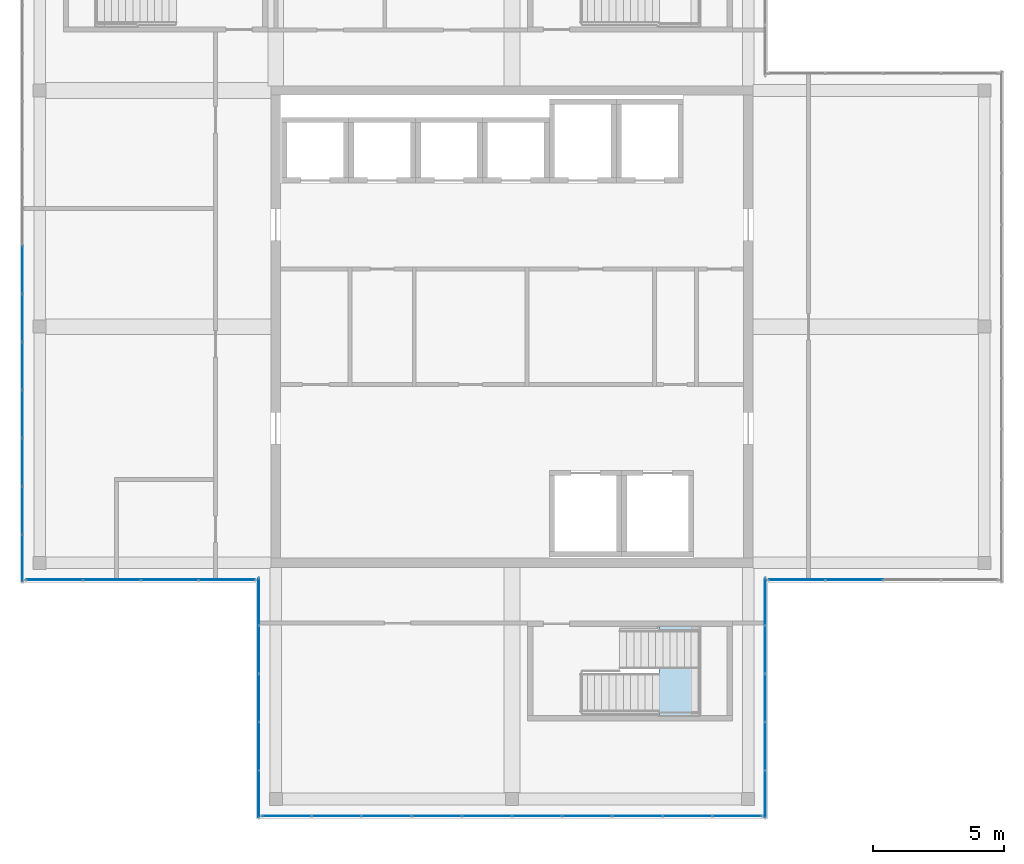
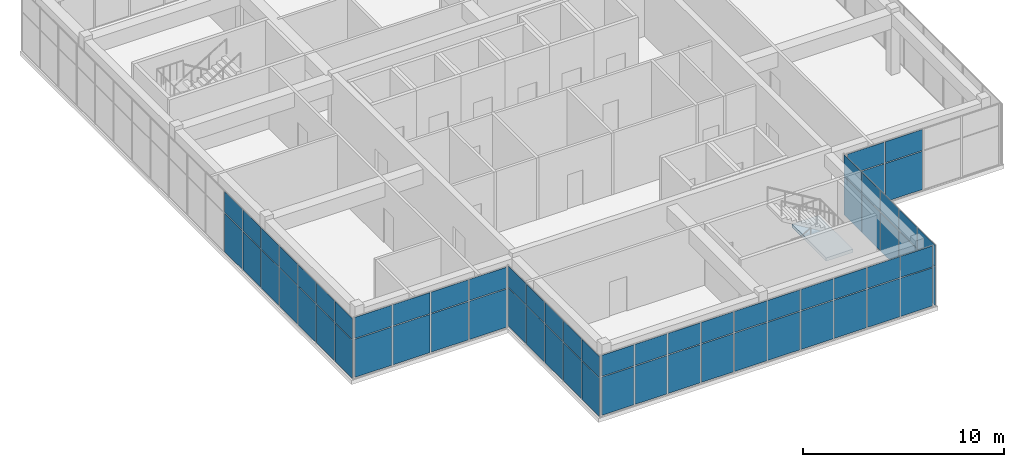
# One storey, part 28 of 34: 66 plates, 1 slab, 7 elements without a shape of their own.
"""IFC4 building model written with IfcOpenShell, lengths in metres."""

from ifc_helpers import new_model, si_unit, direction, frame, origin, origin_2d, place, context, subcontext, project, spatial, polyline, rectangle, outline, extrude, material, layer, layer_set, type_object, element, aggregate, save


model = new_model("IFC4")

# Units and contexts
model_context = context("Model", 3, precision=1e-05, world=origin(), true_north=direction((0.0, 1.0)))
body_context = subcontext(model_context, "Body", "Model", "MODEL_VIEW")
ifc_project = project(units=[si_unit("LENGTHUNIT", "METRE"), si_unit("AREAUNIT", "SQUARE_METRE"), si_unit("VOLUMEUNIT", "CUBIC_METRE"), si_unit("PLANEANGLEUNIT", "RADIAN"), si_unit("MASSUNIT", "GRAM", prefix="KILO")], contexts=[model_context])

# Site, building, storey
site_placement = place(None, origin())
site = spatial("IfcSite", under=ifc_project, at=site_placement, CompositionType="ELEMENT")
building_placement = place(site_placement, origin())
building = spatial("IfcBuilding", under=site, at=building_placement, Name="Tuart Plaza Theatre", CompositionType="ELEMENT")
storey_placement = place(building_placement, frame((0.0, 0.0, 57.5)))
storey = spatial("IfcBuildingStorey", under=building, at=storey_placement, Name="L14", CompositionType="ELEMENT", Elevation=57.5)

# Curtain wall, plates
ifc_material_1 = material(Name="Aluminium and glass", Category="aluminium")
ifc_layer_1 = layer(ifc_material_1, 0.10009765625)
ifc_layer_set_1 = layer_set([ifc_layer_1], Name="CURTAIN WALL 2000 module")
curtain_wall_type_1 = type_object("IfcCurtainWallType", Name="CURTAIN WALL 2000 module", PredefinedType="NOTDEFINED", material=ifc_layer_set_1)
curtain_wall_1_placement = place(storey_placement, origin())
curtain_wall_1 = element("IfcCurtainWall", 1, at=curtain_wall_1_placement, inside=storey, type_object=curtain_wall_type_1, Name="CW112", PredefinedType="NOTDEFINED")
ifc_material_2 = material(Name="Glass", Category="glass")
ifc_layer_2 = layer(ifc_material_2, 0.028076171875)
ifc_layer_set_2 = layer_set([ifc_layer_2], Name="CURTAIN PANEL double glazed 28")
plate_type_1 = type_object("IfcPlateType", Name="CURTAIN PANEL double glazed 28", PredefinedType="CURTAIN_PANEL", material=ifc_layer_set_2)
plate_1_placement = place(storey_placement, frame((141.64990234375, 56.1826171875, 0.0498046875), z_axis=(0.0, 0.0, 1.0), x_axis=(0.0, 1.0, 0.0)))
plate_1 = element("IfcPlate", 2, at=plate_1_placement, type_object=plate_type_1, Name="CW112 panel 1.1", PredefinedType="CURTAIN_PANEL", context=body_context, shape_type="SweptSolid", body=[
    extrude(rectangle(XDim=1.764892578125, YDim=0.028076171875, at=origin_2d()), origin(), (0.0, 0.0, 1.0), 2.324951171875),
])
plate_2_placement = place(storey_placement, frame((141.64990234375, 56.1826171875, 2.425048828125), z_axis=(0.0, 0.0, 1.0), x_axis=(0.0, 1.0, 0.0)))
plate_2 = element("IfcPlate", 3, at=plate_2_placement, type_object=plate_type_1, Name="CW112 panel 1.2", PredefinedType="CURTAIN_PANEL", context=body_context, shape_type="SweptSolid", body=[
    extrude(rectangle(XDim=1.764892578125, YDim=0.028076171875, at=origin_2d()), origin(), (0.0, 0.0, 1.0), 1.27490234375),
])
plate_3_placement = place(storey_placement, frame((141.64990234375, 59.85009765625, 0.0498046875), z_axis=(0.0, 0.0, 1.0), x_axis=(0.0, 1.0, 0.0)))
plate_3 = element("IfcPlate", 4, at=plate_3_placement, type_object=plate_type_1, Name="CW112 panel 3.1", PredefinedType="CURTAIN_PANEL", context=body_context, shape_type="SweptSolid", body=[
    extrude(rectangle(XDim=1.7900390625, YDim=0.028076171875, at=origin_2d()), origin(), (0.0, 0.0, 1.0), 2.324951171875),
])
plate_4_placement = place(storey_placement, frame((141.64990234375, 59.85009765625, 2.425048828125), z_axis=(0.0, 0.0, 1.0), x_axis=(0.0, 1.0, 0.0)))
plate_4 = element("IfcPlate", 5, at=plate_4_placement, type_object=plate_type_1, Name="CW112 panel 3.2", PredefinedType="CURTAIN_PANEL", context=body_context, shape_type="SweptSolid", body=[
    extrude(rectangle(XDim=1.7900390625, YDim=0.028076171875, at=origin_2d()), origin(), (0.0, 0.0, 1.0), 1.27490234375),
])
plate_5_placement = place(storey_placement, frame((141.64990234375, 61.68994140625, 0.0498046875), z_axis=(0.0, 0.0, 1.0), x_axis=(0.0, 1.0, 0.0)))
plate_5 = element("IfcPlate", 6, at=plate_5_placement, type_object=plate_type_1, Name="CW112 panel 4.1", PredefinedType="CURTAIN_PANEL", context=body_context, shape_type="SweptSolid", body=[
    extrude(rectangle(XDim=1.7900390625, YDim=0.028076171875, at=origin_2d()), origin(), (0.0, 0.0, 1.0), 2.324951171875),
])
plate_6_placement = place(storey_placement, frame((141.64990234375, 61.68994140625, 2.425048828125), z_axis=(0.0, 0.0, 1.0), x_axis=(0.0, 1.0, 0.0)))
plate_6 = element("IfcPlate", 7, at=plate_6_placement, type_object=plate_type_1, Name="CW112 panel 4.2", PredefinedType="CURTAIN_PANEL", context=body_context, shape_type="SweptSolid", body=[
    extrude(rectangle(XDim=1.7900390625, YDim=0.028076171875, at=origin_2d()), origin(), (0.0, 0.0, 1.0), 1.27490234375),
])
plate_7_placement = place(storey_placement, frame((141.64990234375, 63.517578125, 0.0498046875), z_axis=(0.0, 0.0, 1.0), x_axis=(0.0, 1.0, 0.0)))
plate_7 = element("IfcPlate", 8, at=plate_7_placement, type_object=plate_type_1, Name="CW112 panel 5.1", PredefinedType="CURTAIN_PANEL", context=body_context, shape_type="SweptSolid", body=[
    extrude(rectangle(XDim=1.764892578125, YDim=0.028076171875, at=origin_2d()), origin(), (0.0, 0.0, 1.0), 2.324951171875),
])
plate_8_placement = place(storey_placement, frame((141.64990234375, 63.517578125, 2.425048828125), z_axis=(0.0, 0.0, 1.0), x_axis=(0.0, 1.0, 0.0)))
plate_8 = element("IfcPlate", 9, at=plate_8_placement, type_object=plate_type_1, Name="CW112 panel 5.2", PredefinedType="CURTAIN_PANEL", context=body_context, shape_type="SweptSolid", body=[
    extrude(rectangle(XDim=1.764892578125, YDim=0.028076171875, at=origin_2d()), origin(), (0.0, 0.0, 1.0), 1.27490234375),
])

curtain_wall_2_placement = place(storey_placement, origin())
curtain_wall_2 = element("IfcCurtainWall", 10, at=curtain_wall_2_placement, inside=storey, type_object=curtain_wall_type_1, Name="CW113", PredefinedType="NOTDEFINED")
plate_9_placement = place(storey_placement, frame((142.862548828125, 64.35009765625, 0.0498046875), z_axis=(0.0, 0.0, 1.0), x_axis=(1.0, 0.0, 0.0)))
plate_9 = element("IfcPlate", 11, at=plate_9_placement, type_object=plate_type_1, Name="CW113 panel 1.1", PredefinedType="CURTAIN_PANEL", context=body_context, shape_type="SweptSolid", body=[
    extrude(rectangle(XDim=2.125, YDim=0.028076171875, at=origin_2d()), origin(), (0.0, 0.0, 1.0), 2.324951171875),
])
plate_10_placement = place(storey_placement, frame((142.862548828125, 64.35009765625, 2.425048828125), z_axis=(0.0, 0.0, 1.0), x_axis=(1.0, 0.0, 0.0)))
plate_10 = element("IfcPlate", 12, at=plate_10_placement, type_object=plate_type_1, Name="CW113 panel 1.2", PredefinedType="CURTAIN_PANEL", context=body_context, shape_type="SweptSolid", body=[
    extrude(rectangle(XDim=2.125, YDim=0.028076171875, at=origin_2d()), origin(), (0.0, 0.0, 1.0), 1.27490234375),
])
plate_11_placement = place(storey_placement, frame((145.050048828125, 64.35009765625, 0.0498046875), z_axis=(0.0, 0.0, 1.0), x_axis=(1.0, 0.0, 0.0)))
plate_11 = element("IfcPlate", 13, at=plate_11_placement, type_object=plate_type_1, Name="CW113 panel 2.1", PredefinedType="CURTAIN_PANEL", context=body_context, shape_type="SweptSolid", body=[
    extrude(rectangle(XDim=2.14990234375, YDim=0.028076171875, at=origin_2d()), origin(), (0.0, 0.0, 1.0), 2.324951171875),
])
plate_12_placement = place(storey_placement, frame((145.050048828125, 64.35009765625, 2.425048828125), z_axis=(0.0, 0.0, 1.0), x_axis=(1.0, 0.0, 0.0)))
plate_12 = element("IfcPlate", 14, at=plate_12_placement, type_object=plate_type_1, Name="CW113 panel 2.2", PredefinedType="CURTAIN_PANEL", context=body_context, shape_type="SweptSolid", body=[
    extrude(rectangle(XDim=2.14990234375, YDim=0.028076171875, at=origin_2d()), origin(), (0.0, 0.0, 1.0), 1.27490234375),
])
aggregate(curtain_wall_2, [plate_9, plate_10, plate_11, plate_12])

ifc_material_3 = material(Name="Aluminium and glass", Category="aluminium")
ifc_layer_3 = layer(ifc_material_3, 0.10009765625)
ifc_layer_set_3 = layer_set([ifc_layer_3], Name="CURTAIN WALL 1800 module")
curtain_wall_type_2 = type_object("IfcCurtainWallType", Name="CURTAIN WALL 1800 module", PredefinedType="NOTDEFINED", material=ifc_layer_set_3)
curtain_wall_3_placement = place(storey_placement, origin())
curtain_wall_3 = element("IfcCurtainWall", 15, at=curtain_wall_3_placement, inside=storey, type_object=curtain_wall_type_2, Name="CW118", PredefinedType="NOTDEFINED")
plate_13_placement = place(storey_placement, frame((113.35009765625, 76.166748046875, 0.0498046875), z_axis=(0.0, 0.0, 1.0), x_axis=(0.0, -1.0, 0.0)))
plate_13 = element("IfcPlate", 16, at=plate_13_placement, type_object=plate_type_1, Name="CW118 panel 12.1", PredefinedType="CURTAIN_PANEL", context=body_context, shape_type="SweptSolid", body=[
    extrude(rectangle(XDim=1.783447265625, YDim=0.028076171875, at=origin_2d()), origin(), (0.0, 0.0, 1.0), 2.324951171875),
])
plate_14_placement = place(storey_placement, frame((113.35009765625, 76.166748046875, 2.425048828125), z_axis=(0.0, 0.0, 1.0), x_axis=(0.0, -1.0, 0.0)))
plate_14 = element("IfcPlate", 17, at=plate_14_placement, type_object=plate_type_1, Name="CW118 panel 12.2", PredefinedType="CURTAIN_PANEL", context=body_context, shape_type="SweptSolid", body=[
    extrude(rectangle(XDim=1.783447265625, YDim=0.028076171875, at=origin_2d()), origin(), (0.0, 0.0, 1.0), 1.27490234375),
])
plate_15_placement = place(storey_placement, frame((113.35009765625, 74.333251953125, 0.0498046875), z_axis=(0.0, 0.0, 1.0), x_axis=(0.0, -1.0, 0.0)))
plate_15 = element("IfcPlate", 18, at=plate_15_placement, type_object=plate_type_1, Name="CW118 panel 13.1", PredefinedType="CURTAIN_PANEL", context=body_context, shape_type="SweptSolid", body=[
    extrude(rectangle(XDim=1.783447265625, YDim=0.028076171875, at=origin_2d()), origin(), (0.0, 0.0, 1.0), 2.324951171875),
])
plate_16_placement = place(storey_placement, frame((113.35009765625, 74.333251953125, 2.425048828125), z_axis=(0.0, 0.0, 1.0), x_axis=(0.0, -1.0, 0.0)))
plate_16 = element("IfcPlate", 19, at=plate_16_placement, type_object=plate_type_1, Name="CW118 panel 13.2", PredefinedType="CURTAIN_PANEL", context=body_context, shape_type="SweptSolid", body=[
    extrude(rectangle(XDim=1.783447265625, YDim=0.028076171875, at=origin_2d()), origin(), (0.0, 0.0, 1.0), 1.27490234375),
])
plate_17_placement = place(storey_placement, frame((113.35009765625, 72.5, 0.0498046875), z_axis=(0.0, 0.0, 1.0), x_axis=(0.0, -1.0, 0.0)))
plate_17 = element("IfcPlate", 20, at=plate_17_placement, type_object=plate_type_1, Name="CW118 panel 14.1", PredefinedType="CURTAIN_PANEL", context=body_context, shape_type="SweptSolid", body=[
    extrude(rectangle(XDim=1.783447265625, YDim=0.028076171875, at=origin_2d()), origin(), (0.0, 0.0, 1.0), 2.324951171875),
])
plate_18_placement = place(storey_placement, frame((113.35009765625, 72.5, 2.425048828125), z_axis=(0.0, 0.0, 1.0), x_axis=(0.0, -1.0, 0.0)))
plate_18 = element("IfcPlate", 21, at=plate_18_placement, type_object=plate_type_1, Name="CW118 panel 14.2", PredefinedType="CURTAIN_PANEL", context=body_context, shape_type="SweptSolid", body=[
    extrude(rectangle(XDim=1.783447265625, YDim=0.028076171875, at=origin_2d()), origin(), (0.0, 0.0, 1.0), 1.27490234375),
])
plate_19_placement = place(storey_placement, frame((113.35009765625, 70.666748046875, 0.0498046875), z_axis=(0.0, 0.0, 1.0), x_axis=(0.0, -1.0, 0.0)))
plate_19 = element("IfcPlate", 22, at=plate_19_placement, type_object=plate_type_1, Name="CW118 panel 15.1", PredefinedType="CURTAIN_PANEL", context=body_context, shape_type="SweptSolid", body=[
    extrude(rectangle(XDim=1.783447265625, YDim=0.028076171875, at=origin_2d()), origin(), (0.0, 0.0, 1.0), 2.324951171875),
])
plate_20_placement = place(storey_placement, frame((113.35009765625, 70.666748046875, 2.425048828125), z_axis=(0.0, 0.0, 1.0), x_axis=(0.0, -1.0, 0.0)))
plate_20 = element("IfcPlate", 23, at=plate_20_placement, type_object=plate_type_1, Name="CW118 panel 15.2", PredefinedType="CURTAIN_PANEL", context=body_context, shape_type="SweptSolid", body=[
    extrude(rectangle(XDim=1.783447265625, YDim=0.028076171875, at=origin_2d()), origin(), (0.0, 0.0, 1.0), 1.27490234375),
])
plate_21_placement = place(storey_placement, frame((113.35009765625, 68.833251953125, 0.0498046875), z_axis=(0.0, 0.0, 1.0), x_axis=(0.0, -1.0, 0.0)))
plate_21 = element("IfcPlate", 24, at=plate_21_placement, type_object=plate_type_1, Name="CW118 panel 16.1", PredefinedType="CURTAIN_PANEL", context=body_context, shape_type="SweptSolid", body=[
    extrude(rectangle(XDim=1.783447265625, YDim=0.028076171875, at=origin_2d()), origin(), (0.0, 0.0, 1.0), 2.324951171875),
])
plate_22_placement = place(storey_placement, frame((113.35009765625, 68.833251953125, 2.425048828125), z_axis=(0.0, 0.0, 1.0), x_axis=(0.0, -1.0, 0.0)))
plate_22 = element("IfcPlate", 25, at=plate_22_placement, type_object=plate_type_1, Name="CW118 panel 16.2", PredefinedType="CURTAIN_PANEL", context=body_context, shape_type="SweptSolid", body=[
    extrude(rectangle(XDim=1.783447265625, YDim=0.028076171875, at=origin_2d()), origin(), (0.0, 0.0, 1.0), 1.27490234375),
])
plate_23_placement = place(storey_placement, frame((113.35009765625, 67.0, 0.0498046875), z_axis=(0.0, 0.0, 1.0), x_axis=(0.0, -1.0, 0.0)))
plate_23 = element("IfcPlate", 26, at=plate_23_placement, type_object=plate_type_1, Name="CW118 panel 17.1", PredefinedType="CURTAIN_PANEL", context=body_context, shape_type="SweptSolid", body=[
    extrude(rectangle(XDim=1.783447265625, YDim=0.028076171875, at=origin_2d()), origin(), (0.0, 0.0, 1.0), 2.324951171875),
])
plate_24_placement = place(storey_placement, frame((113.35009765625, 67.0, 2.425048828125), z_axis=(0.0, 0.0, 1.0), x_axis=(0.0, -1.0, 0.0)))
plate_24 = element("IfcPlate", 27, at=plate_24_placement, type_object=plate_type_1, Name="CW118 panel 17.2", PredefinedType="CURTAIN_PANEL", context=body_context, shape_type="SweptSolid", body=[
    extrude(rectangle(XDim=1.783447265625, YDim=0.028076171875, at=origin_2d()), origin(), (0.0, 0.0, 1.0), 1.27490234375),
])
plate_25_placement = place(storey_placement, frame((113.35009765625, 65.17919921875, 0.0498046875), z_axis=(0.0, 0.0, 1.0), x_axis=(0.0, -1.0, 0.0)))
plate_25 = element("IfcPlate", 28, at=plate_25_placement, type_object=plate_type_1, Name="CW118 panel 18.1", PredefinedType="CURTAIN_PANEL", context=body_context, shape_type="SweptSolid", body=[
    extrude(rectangle(XDim=1.75830078125, YDim=0.028076171875, at=origin_2d()), origin(), (0.0, 0.0, 1.0), 2.324951171875),
])
plate_26_placement = place(storey_placement, frame((113.35009765625, 65.17919921875, 2.425048828125), z_axis=(0.0, 0.0, 1.0), x_axis=(0.0, -1.0, 0.0)))
plate_26 = element("IfcPlate", 29, at=plate_26_placement, type_object=plate_type_1, Name="CW118 panel 18.2", PredefinedType="CURTAIN_PANEL", context=body_context, shape_type="SweptSolid", body=[
    extrude(rectangle(XDim=1.75830078125, YDim=0.028076171875, at=origin_2d()), origin(), (0.0, 0.0, 1.0), 1.27490234375),
])
aggregate(curtain_wall_3, [plate_13, plate_14, plate_15, plate_16, plate_17, plate_18, plate_19, plate_20, plate_21, plate_22, plate_23, plate_24, plate_25, plate_26])

curtain_wall_4_placement = place(storey_placement, origin())
curtain_wall_4 = element("IfcCurtainWall", 30, at=curtain_wall_4_placement, inside=storey, type_object=curtain_wall_type_1, Name="CW120", PredefinedType="NOTDEFINED")
plate_27_placement = place(storey_placement, frame((114.5625, 64.35009765625, 0.0498046875), z_axis=(0.0, 0.0, 1.0), x_axis=(1.0, 0.0, 0.0)))
plate_27 = element("IfcPlate", 31, at=plate_27_placement, type_object=plate_type_1, Name="CW120 panel 1.1", PredefinedType="CURTAIN_PANEL", context=body_context, shape_type="SweptSolid", body=[
    extrude(rectangle(XDim=2.125, YDim=0.028076171875, at=origin_2d()), origin(), (0.0, 0.0, 1.0), 2.324951171875),
])
plate_28_placement = place(storey_placement, frame((114.5625, 64.35009765625, 2.425048828125), z_axis=(0.0, 0.0, 1.0), x_axis=(1.0, 0.0, 0.0)))
plate_28 = element("IfcPlate", 32, at=plate_28_placement, type_object=plate_type_1, Name="CW120 panel 1.2", PredefinedType="CURTAIN_PANEL", context=body_context, shape_type="SweptSolid", body=[
    extrude(rectangle(XDim=2.125, YDim=0.028076171875, at=origin_2d()), origin(), (0.0, 0.0, 1.0), 1.27490234375),
])
plate_29_placement = place(storey_placement, frame((116.75, 64.35009765625, 0.0498046875), z_axis=(0.0, 0.0, 1.0), x_axis=(1.0, 0.0, 0.0)))
plate_29 = element("IfcPlate", 33, at=plate_29_placement, type_object=plate_type_1, Name="CW120 panel 2.1", PredefinedType="CURTAIN_PANEL", context=body_context, shape_type="SweptSolid", body=[
    extrude(rectangle(XDim=2.14990234375, YDim=0.028076171875, at=origin_2d()), origin(), (0.0, 0.0, 1.0), 2.324951171875),
])
plate_30_placement = place(storey_placement, frame((116.75, 64.35009765625, 2.425048828125), z_axis=(0.0, 0.0, 1.0), x_axis=(1.0, 0.0, 0.0)))
plate_30 = element("IfcPlate", 34, at=plate_30_placement, type_object=plate_type_1, Name="CW120 panel 2.2", PredefinedType="CURTAIN_PANEL", context=body_context, shape_type="SweptSolid", body=[
    extrude(rectangle(XDim=2.14990234375, YDim=0.028076171875, at=origin_2d()), origin(), (0.0, 0.0, 1.0), 1.27490234375),
])
plate_31_placement = place(storey_placement, frame((118.949951171875, 64.35009765625, 0.0498046875), z_axis=(0.0, 0.0, 1.0), x_axis=(1.0, 0.0, 0.0)))
plate_31 = element("IfcPlate", 35, at=plate_31_placement, type_object=plate_type_1, Name="CW120 panel 3.1", PredefinedType="CURTAIN_PANEL", context=body_context, shape_type="SweptSolid", body=[
    extrude(rectangle(XDim=2.14990234375, YDim=0.028076171875, at=origin_2d()), origin(), (0.0, 0.0, 1.0), 2.324951171875),
])
plate_32_placement = place(storey_placement, frame((118.949951171875, 64.35009765625, 2.425048828125), z_axis=(0.0, 0.0, 1.0), x_axis=(1.0, 0.0, 0.0)))
plate_32 = element("IfcPlate", 36, at=plate_32_placement, type_object=plate_type_1, Name="CW120 panel 3.2", PredefinedType="CURTAIN_PANEL", context=body_context, shape_type="SweptSolid", body=[
    extrude(rectangle(XDim=2.14990234375, YDim=0.028076171875, at=origin_2d()), origin(), (0.0, 0.0, 1.0), 1.27490234375),
])
plate_33_placement = place(storey_placement, frame((121.137451171875, 64.35009765625, 0.0498046875), z_axis=(0.0, 0.0, 1.0), x_axis=(1.0, 0.0, 0.0)))
plate_33 = element("IfcPlate", 37, at=plate_33_placement, type_object=plate_type_1, Name="CW120 panel 4.1", PredefinedType="CURTAIN_PANEL", context=body_context, shape_type="SweptSolid", body=[
    extrude(rectangle(XDim=2.125, YDim=0.028076171875, at=origin_2d()), origin(), (0.0, 0.0, 1.0), 2.324951171875),
])
plate_34_placement = place(storey_placement, frame((121.137451171875, 64.35009765625, 2.425048828125), z_axis=(0.0, 0.0, 1.0), x_axis=(1.0, 0.0, 0.0)))
plate_34 = element("IfcPlate", 38, at=plate_34_placement, type_object=plate_type_1, Name="CW120 panel 4.2", PredefinedType="CURTAIN_PANEL", context=body_context, shape_type="SweptSolid", body=[
    extrude(rectangle(XDim=2.125, YDim=0.028076171875, at=origin_2d()), origin(), (0.0, 0.0, 1.0), 1.27490234375),
])
aggregate(curtain_wall_4, [plate_27, plate_28, plate_29, plate_30, plate_31, plate_32, plate_33, plate_34])

curtain_wall_5_placement = place(storey_placement, origin())
curtain_wall_5 = element("IfcCurtainWall", 39, at=curtain_wall_5_placement, inside=storey, type_object=curtain_wall_type_1, Name="CW121", PredefinedType="NOTDEFINED")
plate_35_placement = place(storey_placement, frame((122.35009765625, 63.517578125, 0.0498046875), z_axis=(0.0, 0.0, 1.0), x_axis=(0.0, -1.0, 0.0)))
plate_35 = element("IfcPlate", 40, at=plate_35_placement, type_object=plate_type_1, Name="CW121 panel 1.1", PredefinedType="CURTAIN_PANEL", context=body_context, shape_type="SweptSolid", body=[
    extrude(rectangle(XDim=1.764892578125, YDim=0.028076171875, at=origin_2d()), origin(), (0.0, 0.0, 1.0), 2.324951171875),
])
plate_36_placement = place(storey_placement, frame((122.35009765625, 63.517578125, 2.425048828125), z_axis=(0.0, 0.0, 1.0), x_axis=(0.0, -1.0, 0.0)))
plate_36 = element("IfcPlate", 41, at=plate_36_placement, type_object=plate_type_1, Name="CW121 panel 1.2", PredefinedType="CURTAIN_PANEL", context=body_context, shape_type="SweptSolid", body=[
    extrude(rectangle(XDim=1.764892578125, YDim=0.028076171875, at=origin_2d()), origin(), (0.0, 0.0, 1.0), 1.27490234375),
])
plate_37_placement = place(storey_placement, frame((122.35009765625, 61.68994140625, 0.0498046875), z_axis=(0.0, 0.0, 1.0), x_axis=(0.0, -1.0, 0.0)))
plate_37 = element("IfcPlate", 42, at=plate_37_placement, type_object=plate_type_1, Name="CW121 panel 2.1", PredefinedType="CURTAIN_PANEL", context=body_context, shape_type="SweptSolid", body=[
    extrude(rectangle(XDim=1.7900390625, YDim=0.028076171875, at=origin_2d()), origin(), (0.0, 0.0, 1.0), 2.324951171875),
])
plate_38_placement = place(storey_placement, frame((122.35009765625, 61.68994140625, 2.425048828125), z_axis=(0.0, 0.0, 1.0), x_axis=(0.0, -1.0, 0.0)))
plate_38 = element("IfcPlate", 43, at=plate_38_placement, type_object=plate_type_1, Name="CW121 panel 2.2", PredefinedType="CURTAIN_PANEL", context=body_context, shape_type="SweptSolid", body=[
    extrude(rectangle(XDim=1.7900390625, YDim=0.028076171875, at=origin_2d()), origin(), (0.0, 0.0, 1.0), 1.27490234375),
])
plate_39_placement = place(storey_placement, frame((122.35009765625, 59.85009765625, 0.0498046875), z_axis=(0.0, 0.0, 1.0), x_axis=(0.0, -1.0, 0.0)))
plate_39 = element("IfcPlate", 44, at=plate_39_placement, type_object=plate_type_1, Name="CW121 panel 3.1", PredefinedType="CURTAIN_PANEL", context=body_context, shape_type="SweptSolid", body=[
    extrude(rectangle(XDim=1.7900390625, YDim=0.028076171875, at=origin_2d()), origin(), (0.0, 0.0, 1.0), 2.324951171875),
])
plate_40_placement = place(storey_placement, frame((122.35009765625, 59.85009765625, 2.425048828125), z_axis=(0.0, 0.0, 1.0), x_axis=(0.0, -1.0, 0.0)))
plate_40 = element("IfcPlate", 45, at=plate_40_placement, type_object=plate_type_1, Name="CW121 panel 3.2", PredefinedType="CURTAIN_PANEL", context=body_context, shape_type="SweptSolid", body=[
    extrude(rectangle(XDim=1.7900390625, YDim=0.028076171875, at=origin_2d()), origin(), (0.0, 0.0, 1.0), 1.27490234375),
])
plate_41_placement = place(storey_placement, frame((122.35009765625, 58.010009765625, 0.0498046875), z_axis=(0.0, 0.0, 1.0), x_axis=(0.0, -1.0, 0.0)))
plate_41 = element("IfcPlate", 46, at=plate_41_placement, type_object=plate_type_1, Name="CW121 panel 4.1", PredefinedType="CURTAIN_PANEL", context=body_context, shape_type="SweptSolid", body=[
    extrude(rectangle(XDim=1.7900390625, YDim=0.028076171875, at=origin_2d()), origin(), (0.0, 0.0, 1.0), 2.324951171875),
])
plate_42_placement = place(storey_placement, frame((122.35009765625, 58.010009765625, 2.425048828125), z_axis=(0.0, 0.0, 1.0), x_axis=(0.0, -1.0, 0.0)))
plate_42 = element("IfcPlate", 47, at=plate_42_placement, type_object=plate_type_1, Name="CW121 panel 4.2", PredefinedType="CURTAIN_PANEL", context=body_context, shape_type="SweptSolid", body=[
    extrude(rectangle(XDim=1.7900390625, YDim=0.028076171875, at=origin_2d()), origin(), (0.0, 0.0, 1.0), 1.27490234375),
])
plate_43_placement = place(storey_placement, frame((122.35009765625, 56.1826171875, 0.0498046875), z_axis=(0.0, 0.0, 1.0), x_axis=(0.0, -1.0, 0.0)))
plate_43 = element("IfcPlate", 48, at=plate_43_placement, type_object=plate_type_1, Name="CW121 panel 5.1", PredefinedType="CURTAIN_PANEL", context=body_context, shape_type="SweptSolid", body=[
    extrude(rectangle(XDim=1.764892578125, YDim=0.028076171875, at=origin_2d()), origin(), (0.0, 0.0, 1.0), 2.324951171875),
])
plate_44_placement = place(storey_placement, frame((122.35009765625, 56.1826171875, 2.425048828125), z_axis=(0.0, 0.0, 1.0), x_axis=(0.0, -1.0, 0.0)))
plate_44 = element("IfcPlate", 49, at=plate_44_placement, type_object=plate_type_1, Name="CW121 panel 5.2", PredefinedType="CURTAIN_PANEL", context=body_context, shape_type="SweptSolid", body=[
    extrude(rectangle(XDim=1.764892578125, YDim=0.028076171875, at=origin_2d()), origin(), (0.0, 0.0, 1.0), 1.27490234375),
])
aggregate(curtain_wall_5, [plate_35, plate_36, plate_37, plate_38, plate_39, plate_40, plate_41, plate_42, plate_43, plate_44])

curtain_wall_6_placement = place(storey_placement, origin())
curtain_wall_6 = element("IfcCurtainWall", 50, at=curtain_wall_6_placement, inside=storey, type_object=curtain_wall_type_1, Name="CW122", PredefinedType="NOTDEFINED")
plate_45_placement = place(storey_placement, frame((123.41748046875, 55.35009765625, 0.0498046875), z_axis=(0.0, 0.0, 1.0), x_axis=(1.0, 0.0, 0.0)))
plate_45 = element("IfcPlate", 51, at=plate_45_placement, type_object=plate_type_1, Name="CW122 panel 1.1", PredefinedType="CURTAIN_PANEL", context=body_context, shape_type="SweptSolid", body=[
    extrude(rectangle(XDim=1.8349609375, YDim=0.028076171875, at=origin_2d()), origin(), (0.0, 0.0, 1.0), 2.324951171875),
])
plate_46_placement = place(storey_placement, frame((123.41748046875, 55.35009765625, 2.425048828125), z_axis=(0.0, 0.0, 1.0), x_axis=(1.0, 0.0, 0.0)))
plate_46 = element("IfcPlate", 52, at=plate_46_placement, type_object=plate_type_1, Name="CW122 panel 1.2", PredefinedType="CURTAIN_PANEL", context=body_context, shape_type="SweptSolid", body=[
    extrude(rectangle(XDim=1.8349609375, YDim=0.028076171875, at=origin_2d()), origin(), (0.0, 0.0, 1.0), 1.27490234375),
])
plate_47_placement = place(storey_placement, frame((125.31494140625, 55.35009765625, 0.0498046875), z_axis=(0.0, 0.0, 1.0), x_axis=(1.0, 0.0, 0.0)))
plate_47 = element("IfcPlate", 53, at=plate_47_placement, type_object=plate_type_1, Name="CW122 panel 2.1", PredefinedType="CURTAIN_PANEL", context=body_context, shape_type="SweptSolid", body=[
    extrude(rectangle(XDim=1.860107421875, YDim=0.028076171875, at=origin_2d()), origin(), (0.0, 0.0, 1.0), 2.324951171875),
])
plate_48_placement = place(storey_placement, frame((125.31494140625, 55.35009765625, 2.425048828125), z_axis=(0.0, 0.0, 1.0), x_axis=(1.0, 0.0, 0.0)))
plate_48 = element("IfcPlate", 54, at=plate_48_placement, type_object=plate_type_1, Name="CW122 panel 2.2", PredefinedType="CURTAIN_PANEL", context=body_context, shape_type="SweptSolid", body=[
    extrude(rectangle(XDim=1.860107421875, YDim=0.028076171875, at=origin_2d()), origin(), (0.0, 0.0, 1.0), 1.27490234375),
])
plate_49_placement = place(storey_placement, frame((127.22509765625, 55.35009765625, 0.0498046875), z_axis=(0.0, 0.0, 1.0), x_axis=(1.0, 0.0, 0.0)))
plate_49 = element("IfcPlate", 55, at=plate_49_placement, type_object=plate_type_1, Name="CW122 panel 3.1", PredefinedType="CURTAIN_PANEL", context=body_context, shape_type="SweptSolid", body=[
    extrude(rectangle(XDim=1.860107421875, YDim=0.028076171875, at=origin_2d()), origin(), (0.0, 0.0, 1.0), 2.324951171875),
])
plate_50_placement = place(storey_placement, frame((127.22509765625, 55.35009765625, 2.425048828125), z_axis=(0.0, 0.0, 1.0), x_axis=(1.0, 0.0, 0.0)))
plate_50 = element("IfcPlate", 56, at=plate_50_placement, type_object=plate_type_1, Name="CW122 panel 3.2", PredefinedType="CURTAIN_PANEL", context=body_context, shape_type="SweptSolid", body=[
    extrude(rectangle(XDim=1.860107421875, YDim=0.028076171875, at=origin_2d()), origin(), (0.0, 0.0, 1.0), 1.27490234375),
])
plate_51_placement = place(storey_placement, frame((129.135009765625, 55.35009765625, 0.0498046875), z_axis=(0.0, 0.0, 1.0), x_axis=(1.0, 0.0, 0.0)))
plate_51 = element("IfcPlate", 57, at=plate_51_placement, type_object=plate_type_1, Name="CW122 panel 4.1", PredefinedType="CURTAIN_PANEL", context=body_context, shape_type="SweptSolid", body=[
    extrude(rectangle(XDim=1.860107421875, YDim=0.028076171875, at=origin_2d()), origin(), (0.0, 0.0, 1.0), 2.324951171875),
])
plate_52_placement = place(storey_placement, frame((129.135009765625, 55.35009765625, 2.425048828125), z_axis=(0.0, 0.0, 1.0), x_axis=(1.0, 0.0, 0.0)))
plate_52 = element("IfcPlate", 58, at=plate_52_placement, type_object=plate_type_1, Name="CW122 panel 4.2", PredefinedType="CURTAIN_PANEL", context=body_context, shape_type="SweptSolid", body=[
    extrude(rectangle(XDim=1.860107421875, YDim=0.028076171875, at=origin_2d()), origin(), (0.0, 0.0, 1.0), 1.27490234375),
])
plate_53_placement = place(storey_placement, frame((131.044921875, 55.35009765625, 0.0498046875), z_axis=(0.0, 0.0, 1.0), x_axis=(1.0, 0.0, 0.0)))
plate_53 = element("IfcPlate", 59, at=plate_53_placement, type_object=plate_type_1, Name="CW122 panel 5.1", PredefinedType="CURTAIN_PANEL", context=body_context, shape_type="SweptSolid", body=[
    extrude(rectangle(XDim=1.860107421875, YDim=0.028076171875, at=origin_2d()), origin(), (0.0, 0.0, 1.0), 2.324951171875),
])
plate_54_placement = place(storey_placement, frame((131.044921875, 55.35009765625, 2.425048828125), z_axis=(0.0, 0.0, 1.0), x_axis=(1.0, 0.0, 0.0)))
plate_54 = element("IfcPlate", 60, at=plate_54_placement, type_object=plate_type_1, Name="CW122 panel 5.2", PredefinedType="CURTAIN_PANEL", context=body_context, shape_type="SweptSolid", body=[
    extrude(rectangle(XDim=1.860107421875, YDim=0.028076171875, at=origin_2d()), origin(), (0.0, 0.0, 1.0), 1.27490234375),
])
plate_55_placement = place(storey_placement, frame((132.955078125, 55.35009765625, 0.0498046875), z_axis=(0.0, 0.0, 1.0), x_axis=(1.0, 0.0, 0.0)))
plate_55 = element("IfcPlate", 61, at=plate_55_placement, type_object=plate_type_1, Name="CW122 panel 6.1", PredefinedType="CURTAIN_PANEL", context=body_context, shape_type="SweptSolid", body=[
    extrude(rectangle(XDim=1.860107421875, YDim=0.028076171875, at=origin_2d()), origin(), (0.0, 0.0, 1.0), 2.324951171875),
])
plate_56_placement = place(storey_placement, frame((132.955078125, 55.35009765625, 2.425048828125), z_axis=(0.0, 0.0, 1.0), x_axis=(1.0, 0.0, 0.0)))
plate_56 = element("IfcPlate", 62, at=plate_56_placement, type_object=plate_type_1, Name="CW122 panel 6.2", PredefinedType="CURTAIN_PANEL", context=body_context, shape_type="SweptSolid", body=[
    extrude(rectangle(XDim=1.860107421875, YDim=0.028076171875, at=origin_2d()), origin(), (0.0, 0.0, 1.0), 1.27490234375),
])
plate_57_placement = place(storey_placement, frame((134.864990234375, 55.35009765625, 0.0498046875), z_axis=(0.0, 0.0, 1.0), x_axis=(1.0, 0.0, 0.0)))
plate_57 = element("IfcPlate", 63, at=plate_57_placement, type_object=plate_type_1, Name="CW122 panel 7.1", PredefinedType="CURTAIN_PANEL", context=body_context, shape_type="SweptSolid", body=[
    extrude(rectangle(XDim=1.860107421875, YDim=0.028076171875, at=origin_2d()), origin(), (0.0, 0.0, 1.0), 2.324951171875),
])
plate_58_placement = place(storey_placement, frame((134.864990234375, 55.35009765625, 2.425048828125), z_axis=(0.0, 0.0, 1.0), x_axis=(1.0, 0.0, 0.0)))
plate_58 = element("IfcPlate", 64, at=plate_58_placement, type_object=plate_type_1, Name="CW122 panel 7.2", PredefinedType="CURTAIN_PANEL", context=body_context, shape_type="SweptSolid", body=[
    extrude(rectangle(XDim=1.860107421875, YDim=0.028076171875, at=origin_2d()), origin(), (0.0, 0.0, 1.0), 1.27490234375),
])
plate_59_placement = place(storey_placement, frame((136.77490234375, 55.35009765625, 0.0498046875), z_axis=(0.0, 0.0, 1.0), x_axis=(1.0, 0.0, 0.0)))
plate_59 = element("IfcPlate", 65, at=plate_59_placement, type_object=plate_type_1, Name="CW122 panel 8.1", PredefinedType="CURTAIN_PANEL", context=body_context, shape_type="SweptSolid", body=[
    extrude(rectangle(XDim=1.860107421875, YDim=0.028076171875, at=origin_2d()), origin(), (0.0, 0.0, 1.0), 2.324951171875),
])
plate_60_placement = place(storey_placement, frame((136.77490234375, 55.35009765625, 2.425048828125), z_axis=(0.0, 0.0, 1.0), x_axis=(1.0, 0.0, 0.0)))
plate_60 = element("IfcPlate", 66, at=plate_60_placement, type_object=plate_type_1, Name="CW122 panel 8.2", PredefinedType="CURTAIN_PANEL", context=body_context, shape_type="SweptSolid", body=[
    extrude(rectangle(XDim=1.860107421875, YDim=0.028076171875, at=origin_2d()), origin(), (0.0, 0.0, 1.0), 1.27490234375),
])
plate_61_placement = place(storey_placement, frame((138.68505859375, 55.35009765625, 0.0498046875), z_axis=(0.0, 0.0, 1.0), x_axis=(1.0, 0.0, 0.0)))
plate_61 = element("IfcPlate", 67, at=plate_61_placement, type_object=plate_type_1, Name="CW122 panel 9.1", PredefinedType="CURTAIN_PANEL", context=body_context, shape_type="SweptSolid", body=[
    extrude(rectangle(XDim=1.860107421875, YDim=0.028076171875, at=origin_2d()), origin(), (0.0, 0.0, 1.0), 2.324951171875),
])
plate_62_placement = place(storey_placement, frame((138.68505859375, 55.35009765625, 2.425048828125), z_axis=(0.0, 0.0, 1.0), x_axis=(1.0, 0.0, 0.0)))
plate_62 = element("IfcPlate", 68, at=plate_62_placement, type_object=plate_type_1, Name="CW122 panel 9.2", PredefinedType="CURTAIN_PANEL", context=body_context, shape_type="SweptSolid", body=[
    extrude(rectangle(XDim=1.860107421875, YDim=0.028076171875, at=origin_2d()), origin(), (0.0, 0.0, 1.0), 1.27490234375),
])
plate_63_placement = place(storey_placement, frame((140.58251953125, 55.35009765625, 0.0498046875), z_axis=(0.0, 0.0, 1.0), x_axis=(1.0, 0.0, 0.0)))
plate_63 = element("IfcPlate", 69, at=plate_63_placement, type_object=plate_type_1, Name="CW122 panel 10.1", PredefinedType="CURTAIN_PANEL", context=body_context, shape_type="SweptSolid", body=[
    extrude(rectangle(XDim=1.8349609375, YDim=0.028076171875, at=origin_2d()), origin(), (0.0, 0.0, 1.0), 2.324951171875),
])
plate_64_placement = place(storey_placement, frame((140.58251953125, 55.35009765625, 2.425048828125), z_axis=(0.0, 0.0, 1.0), x_axis=(1.0, 0.0, 0.0)))
plate_64 = element("IfcPlate", 70, at=plate_64_placement, type_object=plate_type_1, Name="CW122 panel 10.2", PredefinedType="CURTAIN_PANEL", context=body_context, shape_type="SweptSolid", body=[
    extrude(rectangle(XDim=1.8349609375, YDim=0.028076171875, at=origin_2d()), origin(), (0.0, 0.0, 1.0), 1.27490234375),
])
aggregate(curtain_wall_6, [plate_45, plate_46, plate_47, plate_48, plate_49, plate_50, plate_51, plate_52, plate_53, plate_54, plate_55, plate_56, plate_57, plate_58, plate_59, plate_60, plate_61, plate_62, plate_63, plate_64])

# Plate
ifc_material_4 = material(Name="Zinc")
ifc_layer_4 = layer(ifc_material_4, 0.028076171875)
ifc_layer_set_4 = layer_set([ifc_layer_4], Name="CURTAIN PANEL zinc 28")
plate_type_2 = type_object("IfcPlateType", Name="CURTAIN PANEL zinc 28", PredefinedType="CURTAIN_PANEL", material=ifc_layer_set_4)
plate_65_placement = place(storey_placement, frame((141.64990234375, 58.010009765625, 0.0498046875), z_axis=(0.0, 0.0, 1.0), x_axis=(0.0, 1.0, 0.0)))
plate_65 = element("IfcPlate", 71, at=plate_65_placement, type_object=plate_type_2, Name="CW112 zinc panel 2.1", PredefinedType="CURTAIN_PANEL", context=body_context, shape_type="SweptSolid", body=[
    extrude(rectangle(XDim=1.7900390625, YDim=0.028076171875, at=origin_2d()), origin(), (0.0, 0.0, 1.0), 2.324951171875),
])

plate_66_placement = place(storey_placement, frame((141.64990234375, 58.010009765625, 2.425048828125), z_axis=(0.0, 0.0, 1.0), x_axis=(0.0, 1.0, 0.0)))
plate_66 = element("IfcPlate", 72, at=plate_66_placement, type_object=plate_type_2, Name="CW112 zinc panel 2.2", PredefinedType="CURTAIN_PANEL", context=body_context, shape_type="SweptSolid", body=[
    extrude(rectangle(XDim=1.7900390625, YDim=0.028076171875, at=origin_2d()), origin(), (0.0, 0.0, 1.0), 1.27490234375),
])

aggregate(curtain_wall_1, [plate_1, plate_2, plate_65, plate_66, plate_3, plate_4, plate_5, plate_6, plate_7, plate_8])

# Stair, slab
ifc_material_5 = material(Name="Concrete N40 (40 MPa)", Category="concrete")
stair_type = type_object("IfcStairType", Name="STAIR half turn 1500", PredefinedType="HALF_TURN_STAIR", material=ifc_material_5)
stair_placement = place(storey_placement, origin())
stair = element("IfcStair", 73, at=stair_placement, inside=storey, type_object=stair_type, Name="SC-6", PredefinedType="HALF_TURN_STAIR")
ifc_material_6 = material(Name="Concrete N40 (40 MPa)", Category="concrete")
ifc_layer_5 = layer(ifc_material_6, 0.199951171875)
ifc_layer_set_5 = layer_set([ifc_layer_5], Name="STAIR LANDING 200")
slab_type = type_object("IfcSlabType", Name="STAIR LANDING 200", PredefinedType="LANDING", material=ifc_layer_set_5)
slab_placement = place(storey_placement, frame((0.0, 0.0, 1.800048828125)))
slab = element("IfcSlab", 74, at=slab_placement, type_object=slab_type, Name="SC-6 landing 1", PredefinedType="LANDING", context=body_context, shape_type="SweptSolid", body=[
    extrude(outline(polyline([(137.60009765625, 59.177001953125), (139.1298828125, 59.177001953125), (139.1298828125, 62.572998046875), (137.60009765625, 62.572998046875), (137.60009765625, 59.177001953125)])), origin(), (0.0, 0.0, 1.0), 0.199951171875),
])
aggregate(stair, [slab])

save(model, "model.ifc")
